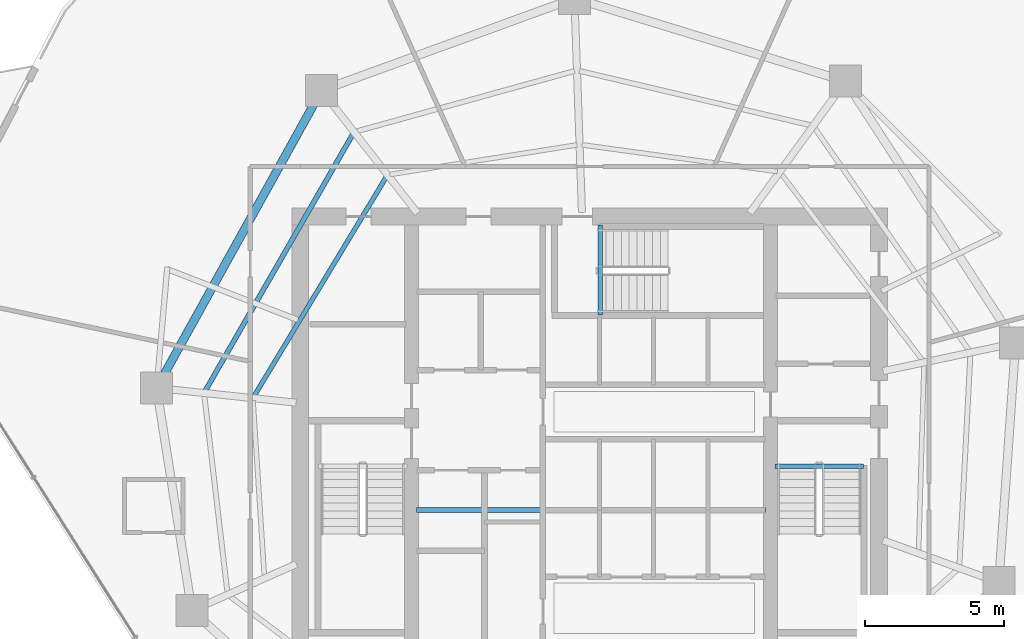
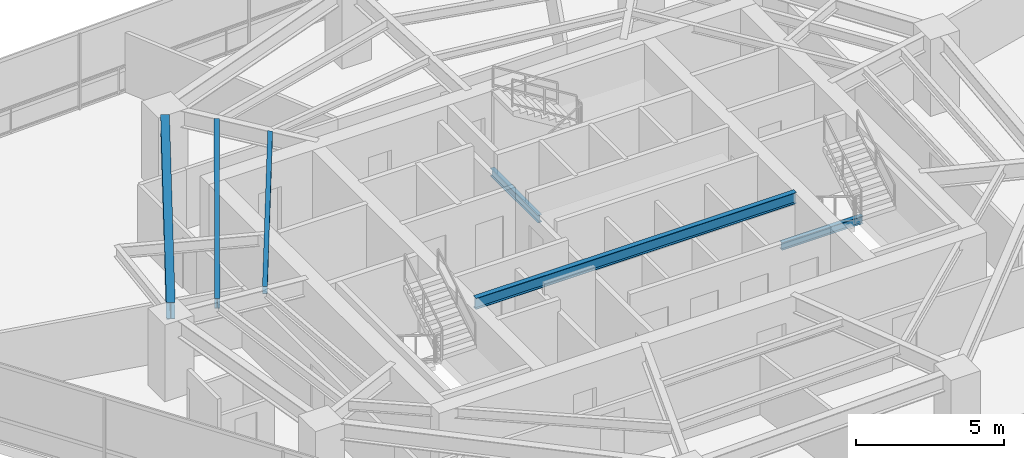
# One storey, part 8 of 25: 6 beams.
"""IFC4 building model written with IfcOpenShell, lengths in metres."""

from ifc_helpers import new_model, si_unit, direction, frame, origin, origin_2d, place, context, subcontext, project, spatial, i_section, extrude, material, material_profile, profile_set, type_object, element, save


model = new_model("IFC4")

# Units and contexts
model_context = context("Model", 3, precision=1e-05, world=origin(), true_north=direction((0.0, 1.0)))
body_context = subcontext(model_context, "Body", "Model", "MODEL_VIEW")
ifc_project = project(units=[si_unit("LENGTHUNIT", "METRE"), si_unit("AREAUNIT", "SQUARE_METRE"), si_unit("VOLUMEUNIT", "CUBIC_METRE"), si_unit("PLANEANGLEUNIT", "RADIAN"), si_unit("MASSUNIT", "GRAM", prefix="KILO")], contexts=[model_context])

# Site, building, storey
site_placement = place(None, origin())
site = spatial("IfcSite", under=ifc_project, at=site_placement, CompositionType="ELEMENT")
building_placement = place(site_placement, origin())
building = spatial("IfcBuilding", under=site, at=building_placement, Name="Qarnah Convention Tower", CompositionType="ELEMENT")
storey_placement = place(building_placement, frame((0.0, 0.0, 76.35009765625)))
storey = spatial("IfcBuildingStorey", under=building, at=storey_placement, Name="L19", CompositionType="ELEMENT", Elevation=76.35009765625)

# Beams
ifc_material = material(Name="Structural steel S355JR", Category="steel")
ifc_material_profile_1 = material_profile(ifc_material, i_section(OverallWidth=0.19189453125, OverallDepth=0.464111328125, WebThickness=0.010986328125, FlangeThickness=0.01806640625, at=origin_2d()), Name="W460X89")
ifc_profile_set_1 = profile_set([ifc_material_profile_1], Name="Structural steel S355JR")
beam_type_1 = type_object("IfcBeamType", Name="BM-CANT-W460A", PredefinedType="BEAM", material=ifc_profile_set_1)
beam_1_placement = place(storey_placement, frame((30.97998046875, 23.64990234375, 2.93798828125), z_axis=(1.0, 0.0, 0.0), x_axis=(0.0, 1.0, 0.0)))
element("IfcBeam", 1, at=beam_1_placement, inside=storey, type_object=beam_type_1, Name="L19 beam BM-L19-KC1", PredefinedType="BEAM", context=body_context, shape_type="SweptSolid", body=[
    extrude(i_section(OverallWidth=0.19189453125, OverallDepth=0.464111328125, WebThickness=0.010986328125, FlangeThickness=0.01806640625, at=origin_2d()), origin(), (0.0, 0.0, 1.0), 12.5400390625),
])
ifc_material_profile_2 = material_profile(ifc_material, i_section(OverallWidth=0.166015625, OverallDepth=0.31201171875, WebThickness=0.007080078125, FlangeThickness=0.010986328125, at=origin_2d()), Name="W310X45")
ifc_profile_set_2 = profile_set([ifc_material_profile_2], Name="Structural steel S355JR")
beam_type_2 = type_object("IfcBeamType", Name="BM-JST-W310", PredefinedType="JOIST", material=ifc_profile_set_2)
beam_2_placement = place(storey_placement, frame((43.860107421875, 25.217041015625, -0.156005859375), z_axis=(1.0, 0.0, 0.0), x_axis=(0.0, 1.0, 0.0)))
element("IfcBeam", 2, at=beam_2_placement, inside=storey, type_object=beam_type_2, Name="L19 stair landing trimmer beam BM-L19-ST2-TRM", PredefinedType="BEAM", context=body_context, shape_type="SweptSolid", body=[
    extrude(i_section(OverallWidth=0.166015625, OverallDepth=0.31201171875, WebThickness=0.007080078125, FlangeThickness=0.010986328125, at=origin_2d()), origin(), (0.0, 0.0, 1.0), 3.179931640625),
])
beam_3_placement = place(storey_placement, frame((37.5830078125, 30.659912109375, -0.156005859375), z_axis=(0.0, 1.0, 0.0), x_axis=(-1.0, 0.0, 0.0)))
element("IfcBeam", 3, at=beam_3_placement, inside=storey, type_object=beam_type_2, Name="L19 stair landing trimmer beam BM-L19-ST3-TRM", PredefinedType="BEAM", context=body_context, shape_type="SweptSolid", body=[
    extrude(i_section(OverallWidth=0.166015625, OverallDepth=0.31201171875, WebThickness=0.007080078125, FlangeThickness=0.010986328125, at=origin_2d()), origin(), (0.0, 0.0, 1.0), 3.239990234375),
])
beam_4_placement = place(storey_placement, frame((29.89111328125, 35.618896484375, 3.013916015625), z_axis=(-0.516661946576, -0.856189484262, 0.0), x_axis=(0.856189484262, -0.516661946576, 0.0)))
element("IfcBeam", 4, at=beam_4_placement, inside=storey, type_object=beam_type_2, Name="L19 joist BM-L19-IJST-04", PredefinedType="JOIST", context=body_context, shape_type="SweptSolid", body=[
    extrude(i_section(OverallWidth=0.166015625, OverallDepth=0.31201171875, WebThickness=0.007080078125, FlangeThickness=0.010986328125, at=origin_2d()), origin(), (0.0, 0.0, 1.0), 9.191650390625),
])
ifc_material_profile_3 = material_profile(ifc_material, i_section(OverallWidth=0.177978515625, OverallDepth=0.407958984375, WebThickness=0.008056640625, FlangeThickness=0.012939453125, at=origin_2d()), Name="W410X60")
ifc_profile_set_3 = profile_set([ifc_material_profile_3], Name="Structural steel S355JR")
beam_type_3 = type_object("IfcBeamType", Name="BM-JST-W410", PredefinedType="JOIST", material=ifc_profile_set_3)
beam_5_placement = place(storey_placement, frame((28.68896484375, 37.157958984375, 2.9658203125), z_axis=(-0.498526739612, -0.866874321855, 0.0), x_axis=(0.866874321855, -0.498526739612, 0.0)))
element("IfcBeam", 5, at=beam_5_placement, inside=storey, type_object=beam_type_3, Name="L19 joist BM-L19-SJST-04", PredefinedType="JOIST", context=body_context, shape_type="SweptSolid", body=[
    extrude(i_section(OverallWidth=0.177978515625, OverallDepth=0.407958984375, WebThickness=0.008056640625, FlangeThickness=0.012939453125, at=origin_2d()), origin(), (0.0, 0.0, 1.0), 10.63916015625),
])
ifc_material_profile_4 = material_profile(ifc_material, i_section(OverallWidth=0.300048828125, OverallDepth=0.699951171875, WebThickness=0.01708984375, FlangeThickness=0.031982421875, at=origin_2d()), Name="HEB700")
ifc_profile_set_4 = profile_set([ifc_material_profile_4], Name="Structural steel S355JR")
beam_type_4 = type_object("IfcBeamType", Name="BM-RING-HEB700", PredefinedType="BEAM", material=ifc_profile_set_4)
beam_6_placement = place(storey_placement, frame((27.291015625, 38.238037109375, 2.81982421875), z_axis=(-0.484800448222, -0.874624791212, 0.0), x_axis=(0.874624791212, -0.484800448222, 0.0)))
element("IfcBeam", 6, at=beam_6_placement, inside=storey, type_object=beam_type_4, Name="L19 beam BM-L19-SPN-04", PredefinedType="BEAM", context=body_context, shape_type="SweptSolid", body=[
    extrude(i_section(OverallWidth=0.300048828125, OverallDepth=0.699951171875, WebThickness=0.01708984375, FlangeThickness=0.031982421875, at=origin_2d()), origin(), (0.0, 0.0, 1.0), 11.099609375),
])

save(model, "model.ifc")
